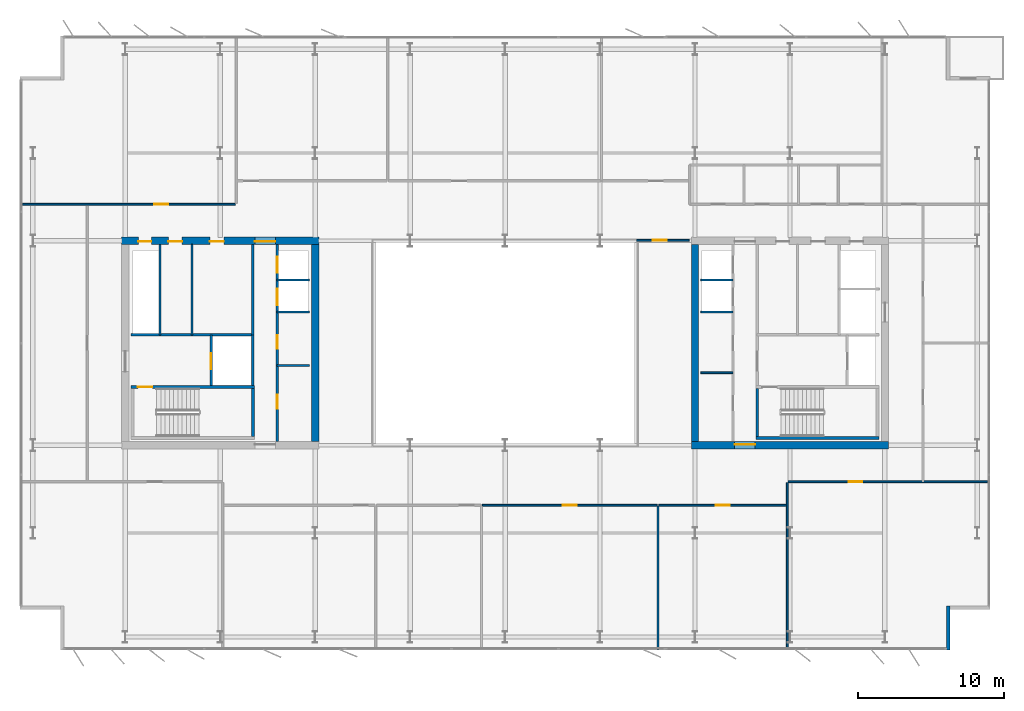
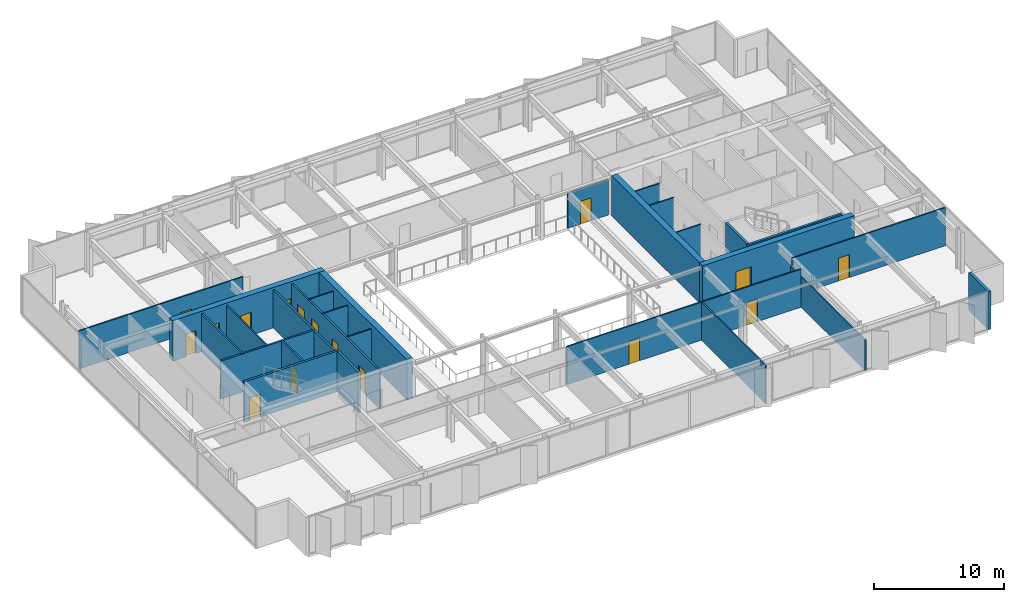
# One storey, part 17 of 23: 29 walls, 16 doors, 16 openings.
"""IFC4 building model written with IfcOpenShell, lengths in metres."""

from ifc_helpers import new_model, si_unit, direction, frame, frame_2d, origin, place, context, subcontext, project, spatial, rectangle, extrude, material, layer, layer_set, type_object, element, fill, save


model = new_model("IFC4")

# Units and contexts
model_context = context("Model", 3, precision=1e-05, world=origin(), true_north=direction((0.0, 1.0)))
body_context = subcontext(model_context, "Body", "Model", "MODEL_VIEW")
ifc_project = project(units=[si_unit("LENGTHUNIT", "METRE"), si_unit("AREAUNIT", "SQUARE_METRE"), si_unit("VOLUMEUNIT", "CUBIC_METRE"), si_unit("PLANEANGLEUNIT", "RADIAN"), si_unit("MASSUNIT", "GRAM", prefix="KILO")], contexts=[model_context])

# Site, building, storey
site_placement = place(None, origin())
site = spatial("IfcSite", under=ifc_project, at=site_placement, CompositionType="ELEMENT")
building_placement = place(site_placement, origin())
building = spatial("IfcBuilding", under=site, at=building_placement, Name="Putna Gate Headquarters", CompositionType="ELEMENT")
storey_placement = place(building_placement, frame((0.0, 0.0, 206.199951171875)))
storey = spatial("IfcBuildingStorey", under=building, at=storey_placement, Name="L51", CompositionType="ELEMENT", Elevation=206.199951171875)

# Wall, openings, doors
ifc_material_1 = material(Name="Concrete C50/60", Category="concrete")
ifc_layer_1 = layer(ifc_material_1, 0.5)
ifc_layer_set_1 = layer_set([ifc_layer_1], Name="Concrete C50/60")
wall_type_1 = type_object("IfcWallType", Name="WALL-CORE-500", PredefinedType="SHEAR", material=ifc_layer_set_1)
wall_1_placement = place(storey_placement, frame((12.75, 33.0, 0.0), z_axis=(0.0, 0.0, 1.0), x_axis=(1.0, 0.0, 0.0)))
wall_1 = element("IfcWall", 1, at=wall_1_placement, inside=storey, type_object=wall_type_1, Name="L51 WC Split Core Shear Wall N", PredefinedType="SHEAR", context=body_context, shape_type="SweptSolid", body=[
    extrude(rectangle(XDim=13.5, YDim=0.5, at=frame_2d((6.75, 0.0))), origin(), (0.0, 0.0, 1.0), 3.800048828125),
])
opening_1_placement = place(wall_1_placement, frame((1.14990234375, 0.0, 0.0)))
opening_1 = element("IfcOpeningElement", 2, at=opening_1_placement, cuts=wall_1, Name="Opening RD-90", PredefinedType="OPENING", context=body_context, shape_type="SweptSolid", body=[
    extrude(rectangle(XDim=0.89990234375, YDim=2.14990234375, at=frame_2d((0.449951171875, 1.074951171875))), frame((0.0, 0.260009765625, 0.0), z_axis=(0.0, -1.0, 0.0), x_axis=(1.0, 0.0, 0.0)), (0.0, 0.0, 1.0), 0.52001953125),
])
opening_2_placement = place(wall_1_placement, frame((3.199951171875, 0.0, 0.0)))
opening_2 = element("IfcOpeningElement", 3, at=opening_2_placement, cuts=wall_1, Name="Opening IDS-95", PredefinedType="OPENING", context=body_context, shape_type="SweptSolid", body=[
    extrude(rectangle(XDim=0.949951171875, YDim=2.14990234375, at=frame_2d((0.47509765625, 1.074951171875))), frame((0.0, 0.260009765625, 0.0), z_axis=(0.0, -1.0, 0.0), x_axis=(1.0, 0.0, 0.0)), (0.0, 0.0, 1.0), 0.52001953125),
])
opening_3_placement = place(wall_1_placement, frame((6.050048828125, 0.0, 0.0)))
opening_3 = element("IfcOpeningElement", 4, at=opening_3_placement, cuts=wall_1, Name="Opening IDS-95", PredefinedType="OPENING", context=body_context, shape_type="SweptSolid", body=[
    extrude(rectangle(XDim=0.949951171875, YDim=2.14990234375, at=frame_2d((0.47509765625, 1.074951171875))), frame((0.0, 0.260009765625, 0.0), z_axis=(0.0, -1.0, 0.0), x_axis=(1.0, 0.0, 0.0)), (0.0, 0.0, 1.0), 0.52001953125),
])
opening_4_placement = place(wall_1_placement, frame((9.1298828125, 0.0, 0.0)))
opening_4 = element("IfcOpeningElement", 5, at=opening_4_placement, cuts=wall_1, Name="Opening FDD-140", PredefinedType="OPENING", context=body_context, shape_type="SweptSolid", body=[
    extrude(rectangle(XDim=1.39990234375, YDim=2.199951171875, at=frame_2d((0.699951171875, 1.10009765625))), frame((0.0, 0.260009765625, 0.0), z_axis=(0.0, -1.0, 0.0), x_axis=(1.0, 0.0, 0.0)), (0.0, 0.0, 1.0), 0.52001953125),
])
ifc_material_2 = material(Name="Double steel fire door", Category="steel")
door_type_1 = type_object("IfcDoorType", Name="DOOR-FIRE-DBL-1400", OperationType="DOUBLE_DOOR_SINGLE_SWING", PredefinedType="DOOR", material=ifc_material_2)
door_1_placement = place(opening_4_placement, origin())
door_1 = element("IfcDoor", 6, at=door_1_placement, inside=storey, type_object=door_type_1, Name="L51 West Lift Lobby North Door", OperationType="DOUBLE_DOOR_SINGLE_SWING", OverallHeight=2.199951171875, OverallWidth=1.39990234375, PredefinedType="DOOR", context=body_context, shape_type="SweptSolid", body=[
    extrude(rectangle(XDim=1.39990234375, YDim=2.199951171875, at=frame_2d((0.699951171875, 1.10009765625))), frame((0.0, -0.02490234375, 0.0), z_axis=(0.0, -1.0, 0.0), x_axis=(1.0, 0.0, 0.0)), (0.0, 0.0, 1.0), 0.050048828125),
])
fill(opening_4, door_1)
ifc_material_3 = material(Name="Fire-rated service timber door", Category="wood")
door_type_2 = type_object("IfcDoorType", Name="DOOR-INT-950", OperationType="NOTDEFINED", PredefinedType="DOOR", material=ifc_material_3)
door_2_placement = place(opening_2_placement, origin())
door_2 = element("IfcDoor", 7, at=door_2_placement, inside=storey, type_object=door_type_2, Name="L51 Archive Store Door", OperationType="SINGLE_SWING_LEFT", OverallHeight=2.14990234375, OverallWidth=0.949951171875, PredefinedType="DOOR", context=body_context, shape_type="SweptSolid", body=[
    extrude(rectangle(XDim=0.949951171875, YDim=2.14990234375, at=frame_2d((0.47509765625, 1.074951171875))), frame((0.0, -0.02490234375, 0.0), z_axis=(0.0, -1.0, 0.0), x_axis=(1.0, 0.0, 0.0)), (0.0, 0.0, 1.0), 0.050048828125),
])
fill(opening_2, door_2)
door_3_placement = place(opening_3_placement, origin())
door_3 = element("IfcDoor", 8, at=door_3_placement, inside=storey, type_object=door_type_2, Name="L51 Switchgear Plant Door", OperationType="SINGLE_SWING_RIGHT", OverallHeight=2.14990234375, OverallWidth=0.949951171875, PredefinedType="DOOR", context=body_context, shape_type="SweptSolid", body=[
    extrude(rectangle(XDim=0.949951171875, YDim=2.14990234375, at=frame_2d((0.47509765625, 1.074951171875))), frame((0.0, -0.02490234375, 0.0), z_axis=(0.0, -1.0, 0.0), x_axis=(1.0, 0.0, 0.0)), (0.0, 0.0, 1.0), 0.050048828125),
])
fill(opening_3, door_3)
ifc_material_4 = material(Name="Steel riser access fire door", Category="steel")
door_type_3 = type_object("IfcDoorType", Name="DOOR-RISER-900", OperationType="NOTDEFINED", PredefinedType="DOOR", material=ifc_material_4)
door_4_placement = place(opening_1_placement, origin())
door_4 = element("IfcDoor", 9, at=door_4_placement, inside=storey, type_object=door_type_3, Name="L51 West Riser Access Door", OperationType="SINGLE_SWING_RIGHT", OverallHeight=2.14990234375, OverallWidth=0.89990234375, PredefinedType="DOOR", context=body_context, shape_type="SweptSolid", body=[
    extrude(rectangle(XDim=0.89990234375, YDim=2.14990234375, at=frame_2d((0.449951171875, 1.074951171875))), frame((0.0, -0.02490234375, 0.0), z_axis=(0.0, -1.0, 0.0), x_axis=(1.0, 0.0, 0.0)), (0.0, 0.0, 1.0), 0.050048828125),
])
fill(opening_1, door_4)

# Wall
wall_2_placement = place(storey_placement, frame((26.0, 19.25, 0.0), z_axis=(0.0, 0.0, 1.0), x_axis=(0.0, 1.0, 0.0)))
element("IfcWall", 10, at=wall_2_placement, inside=storey, type_object=wall_type_1, Name="L51 WC Split Core Shear Wall E", PredefinedType="SHEAR", context=body_context, shape_type="SweptSolid", body=[
    extrude(rectangle(XDim=13.5, YDim=0.5, at=frame_2d((6.75, 0.0))), origin(), (0.0, 0.0, 1.0), 3.800048828125),
])

# Wall, opening, door
wall_3_placement = place(storey_placement, frame((51.75, 19.0, 0.0), z_axis=(0.0, 0.0, 1.0), x_axis=(1.0, 0.0, 0.0)))
wall_3 = element("IfcWall", 11, at=wall_3_placement, inside=storey, type_object=wall_type_1, Name="L51 EC Split Core Shear Wall S", PredefinedType="SHEAR", context=body_context, shape_type="SweptSolid", body=[
    extrude(rectangle(XDim=13.5, YDim=0.5, at=frame_2d((6.75, 0.0))), origin(), (0.0, 0.0, 1.0), 3.800048828125),
])
opening_5_placement = place(wall_3_placement, frame((2.969970703125, 0.0, 0.0)))
opening_5 = element("IfcOpeningElement", 12, at=opening_5_placement, cuts=wall_3, Name="Opening FDD-140", PredefinedType="OPENING", context=body_context, shape_type="SweptSolid", body=[
    extrude(rectangle(XDim=1.39990234375, YDim=2.199951171875, at=frame_2d((0.699951171875, 1.10009765625))), frame((0.0, 0.260009765625, 0.0), z_axis=(0.0, -1.0, 0.0), x_axis=(1.0, 0.0, 0.0)), (0.0, 0.0, 1.0), 0.52001953125),
])
door_5_placement = place(opening_5_placement, origin())
door_5 = element("IfcDoor", 13, at=door_5_placement, inside=storey, type_object=door_type_1, Name="L51 East Lift Lobby South Door", OperationType="DOUBLE_DOOR_SINGLE_SWING", OverallHeight=2.199951171875, OverallWidth=1.39990234375, PredefinedType="DOOR", context=body_context, shape_type="SweptSolid", body=[
    extrude(rectangle(XDim=1.39990234375, YDim=2.199951171875, at=frame_2d((0.699951171875, 1.10009765625))), frame((0.0, 0.0751953125, 0.0), z_axis=(0.0, -1.0, 0.0), x_axis=(1.0, 0.0, 0.0)), (0.0, 0.0, 1.0), 0.050048828125),
])
fill(opening_5, door_5)

# Walls
wall_4_placement = place(storey_placement, frame((52.0, 19.25, 0.0), z_axis=(0.0, 0.0, 1.0), x_axis=(0.0, 1.0, 0.0)))
element("IfcWall", 14, at=wall_4_placement, inside=storey, type_object=wall_type_1, Name="L51 EC Split Core Shear Wall W", PredefinedType="SHEAR", context=body_context, shape_type="SweptSolid", body=[
    extrude(rectangle(XDim=13.5, YDim=0.5, at=frame_2d((6.75, 0.0))), origin(), (0.0, 0.0, 1.0), 3.800048828125),
])
ifc_material_5 = material(Name="Precast concrete C40/50", Category="concrete")
ifc_layer_2 = layer(ifc_material_5, 0.239990234375)
ifc_layer_set_2 = layer_set([ifc_layer_2], Name="Precast concrete C40/50")
wall_type_2 = type_object("IfcWallType", Name="WALL-EXT-TERR-240", PredefinedType="STANDARD", material=ifc_layer_set_2)
wall_5_placement = place(storey_placement, frame((69.320068359375, 8.0, 0.0), z_axis=(0.0, 0.0, 1.0), x_axis=(0.0, -1.0, 0.0)))
element("IfcWall", 15, at=wall_5_placement, inside=storey, type_object=wall_type_2, Name="L51 Corner Notch Return Wall SE-V", PredefinedType="STANDARD", context=body_context, shape_type="SweptSolid", body=[
    extrude(rectangle(XDim=3.0, YDim=0.239990234375, at=frame_2d((1.5, 0.0))), origin(), (0.0, 0.0, 1.0), 3.580078125),
])

# Wall, opening, door
ifc_material_6 = material(Name="Acoustic gypsum board on metal stud")
ifc_layer_3 = layer(ifc_material_6, 0.1201171875)
ifc_layer_set_3 = layer_set([ifc_layer_3], Name="Acoustic gypsum board on metal stud")
wall_type_3 = type_object("IfcWallType", Name="WALL-PART-120", PredefinedType="PARTITIONING", material=ifc_layer_set_3)
wall_6_placement = place(storey_placement, frame((48.0, 33.0400390625, 0.0), z_axis=(0.0, 0.0, 1.0), x_axis=(1.0, 0.0, 0.0)))
wall_6 = element("IfcWall", 16, at=wall_6_placement, inside=storey, type_object=wall_type_3, Name="L51 Interior Wall PART-L51-ATR-E-N", PredefinedType="PARTITIONING", context=body_context, shape_type="SweptSolid", body=[
    extrude(rectangle(XDim=3.60009765625, YDim=0.1201171875, at=frame_2d((1.800048828125, 0.0))), origin(), (0.0, 0.0, 1.0), 3.320068359375),
])
opening_6_placement = place(wall_6_placement, frame((1.10009765625, 0.0, 0.0)))
opening_6 = element("IfcOpeningElement", 17, at=opening_6_placement, cuts=wall_6, Name="Opening ID-95", PredefinedType="OPENING", context=body_context, shape_type="SweptSolid", body=[
    extrude(rectangle(XDim=0.949951171875, YDim=2.14990234375, at=frame_2d((0.47509765625, 1.074951171875))), frame((0.0, 0.070068359375, 0.0), z_axis=(0.0, -1.0, 0.0), x_axis=(1.0, 0.0, 0.0)), (0.0, 0.0, 1.0), 0.14013671875),
])
ifc_material_7 = material(Name="Veneered acoustic timber door", Category="wood")
door_type_4 = type_object("IfcDoorType", Name="DOOR-OFF-950", OperationType="NOTDEFINED", PredefinedType="DOOR", material=ifc_material_7)
door_6_placement = place(opening_6_placement, origin())
door_6 = element("IfcDoor", 18, at=door_6_placement, inside=storey, type_object=door_type_4, Name="L51 East Sky Atrium Lounge Door", OperationType="SINGLE_SWING_LEFT", OverallHeight=2.14990234375, OverallWidth=0.949951171875, PredefinedType="DOOR", context=body_context, shape_type="SweptSolid", body=[
    extrude(rectangle(XDim=0.949951171875, YDim=2.14990234375, at=frame_2d((0.47509765625, 1.074951171875))), frame((0.0, 0.02490234375, 0.0), z_axis=(0.0, -1.0, 0.0), x_axis=(1.0, 0.0, 0.0)), (0.0, 0.0, 1.0), 0.050048828125),
])
fill(opening_6, door_6)

# Walls
wall_7_placement = place(storey_placement, frame((49.46728515625, 5.02001953125, 0.0), z_axis=(0.0, 0.0, 1.0), x_axis=(0.0, 1.0, 0.0)))
element("IfcWall", 19, at=wall_7_placement, inside=storey, type_object=wall_type_3, Name="L51 Interior Wall PART-L51-SB-DIV-04", PredefinedType="PARTITIONING", context=body_context, shape_type="SweptSolid", body=[
    extrude(rectangle(XDim=9.820068359375, YDim=0.1201171875, at=frame_2d((4.91015625, 0.0))), origin(), (0.0, 0.0, 1.0), 3.580078125),
])
wall_8_placement = place(storey_placement, frame((58.316650390625, 5.02001953125, 0.0), z_axis=(0.0, 0.0, 1.0), x_axis=(0.0, 1.0, 0.0)))
element("IfcWall", 20, at=wall_8_placement, inside=storey, type_object=wall_type_3, Name="L51 Interior Wall PART-L51-SB-DIV-05", PredefinedType="PARTITIONING", context=body_context, shape_type="SweptSolid", body=[
    extrude(rectangle(XDim=11.419921875, YDim=0.1201171875, at=frame_2d((5.7099609375, 0.0))), origin(), (0.0, 0.0, 1.0), 2.880126953125),
])
ifc_material_8 = material(Name="Fire-rated shaftwall gypsum board on metal stud")
ifc_layer_4 = layer(ifc_material_8, 0.1201171875)
ifc_layer_set_4 = layer_set([ifc_layer_4], Name="Fire-rated shaftwall gypsum board on metal stud")
wall_type_4 = type_object("IfcWallType", Name="WALL-PART-120-EI120", PredefinedType="PARTITIONING", material=ifc_layer_set_4)
for number, where, z_axis, x_axis, name in (
    (21, (23.39990234375, 30.31005859375, 0.0), (0.0, 0.0, 1.0), (1.0, 0.0, 0.0), "L51 Interior Wall CWINT-L51-WC-LF09-DIV"),
    (22, (52.39990234375, 30.31005859375, 0.0), (0.0, 0.0, 1.0), (1.0, 0.0, 0.0), "L51 Interior Wall CWINT-L51-EC-LF11-DIV"),
):
    element("IfcWall", number, at=place(storey_placement, frame(where, z_axis=z_axis, x_axis=x_axis)), inside=storey, type_object=wall_type_4, Name=name, PredefinedType="PARTITIONING", context=body_context, shape_type="SweptSolid", body=[
        extrude(rectangle(XDim=2.2001953125, YDim=0.1201171875, at=frame_2d((1.10009765625, 0.0))), origin(), (0.0, 0.0, 1.0), 3.580078125),
    ])
ifc_material_9 = material(Name="Fire-rated gypsum board on metal stud")
ifc_layer_5 = layer(ifc_material_9, 0.1201171875)
ifc_layer_set_5 = layer_set([ifc_layer_5], Name="Fire-rated gypsum board on metal stud")
wall_type_5 = type_object("IfcWallType", Name="WALL-PART-120-RATED", PredefinedType="PARTITIONING", material=ifc_layer_set_5)
wall_9_placement = place(storey_placement, frame((17.570068359375, 26.56005859375, 0.0), z_axis=(0.0, 0.0, 1.0), x_axis=(0.0, 1.0, 0.0)))
element("IfcWall", 23, at=wall_9_placement, inside=storey, type_object=wall_type_5, Name="L51 Interior Wall CWINT-L51-WC-K1-DIV", PredefinedType="PARTITIONING", context=body_context, shape_type="SweptSolid", body=[
    extrude(rectangle(XDim=6.18994140625, YDim=0.1201171875, at=frame_2d((3.094970703125, 0.0))), origin(), (0.0, 0.0, 1.0), 3.580078125),
])
for number, where, z_axis, x_axis, name in (
    (24, (23.39990234375, 24.469970703125, 0.0), (0.0, 0.0, 1.0), (1.0, 0.0, 0.0), "L51 Interior Wall CWINT-L51-WC-REUSE-DIV"),
    (25, (23.39990234375, 28.1201171875, 0.0), (0.0, 0.0, 1.0), (1.0, 0.0, 0.0), "L51 Interior Wall CWINT-L51-WC-LF06-DIV"),
    (26, (52.39990234375, 23.969970703125, 0.0), (0.0, 0.0, 1.0), (1.0, 0.0, 0.0), "L51 Interior Wall CWINT-L51-EC-REUSE-DIV"),
    (27, (52.39990234375, 28.1201171875, 0.0), (0.0, 0.0, 1.0), (1.0, 0.0, 0.0), "L51 Interior Wall CWINT-L51-EC-LF08-DIV"),
):
    element("IfcWall", number, at=place(storey_placement, frame(where, z_axis=z_axis, x_axis=x_axis)), inside=storey, type_object=wall_type_5, Name=name, PredefinedType="PARTITIONING", context=body_context, shape_type="SweptSolid", body=[
        extrude(rectangle(XDim=2.2001953125, YDim=0.1201171875, at=frame_2d((1.10009765625, 0.0))), origin(), (0.0, 0.0, 1.0), 3.580078125),
    ])

# Wall, opening, door
wall_10_placement = place(storey_placement, frame((5.97998046875, 35.5, 0.0), z_axis=(0.0, 0.0, 1.0), x_axis=(1.0, 0.0, 0.0)))
wall_10 = element("IfcWall", 28, at=wall_10_placement, inside=storey, type_object=wall_type_5, Name="L51 Interior Wall PART-L51-NB-CW-01", PredefinedType="PARTITIONING", context=body_context, shape_type="SweptSolid", body=[
    extrude(rectangle(XDim=14.56884765625, YDim=0.1201171875, at=frame_2d((7.284423828125, 0.0))), origin(), (0.0, 0.0, 1.0), 3.580078125),
])
opening_7_placement = place(wall_10_placement, frame((9.01953125, 0.0, 0.0)))
opening_7 = element("IfcOpeningElement", 29, at=opening_7_placement, cuts=wall_10, Name="Opening FD-95", PredefinedType="OPENING", context=body_context, shape_type="SweptSolid", body=[
    extrude(rectangle(XDim=0.949951171875, YDim=2.14990234375, at=frame_2d((0.47509765625, 1.074951171875))), frame((0.0, 0.070068359375, 0.0), z_axis=(0.0, -1.0, 0.0), x_axis=(1.0, 0.0, 0.0)), (0.0, 0.0, 1.0), 0.14013671875),
])
ifc_material_10 = material(Name="Acoustic timber fire door", Category="wood")
door_type_5 = type_object("IfcDoorType", Name="DOOR-FIRE-950", OperationType="NOTDEFINED", PredefinedType="DOOR", material=ifc_material_10)
door_7_placement = place(opening_7_placement, origin())
door_7 = element("IfcDoor", 30, at=door_7_placement, inside=storey, type_object=door_type_5, Name="L51 Conference Meeting Room 1 Door", OperationType="SINGLE_SWING_RIGHT", OverallHeight=2.14990234375, OverallWidth=0.949951171875, PredefinedType="DOOR", context=body_context, shape_type="SweptSolid", body=[
    extrude(rectangle(XDim=0.949951171875, YDim=2.14990234375, at=frame_2d((0.47509765625, 1.074951171875))), frame((0.0, 0.02490234375, 0.0), z_axis=(0.0, -1.0, 0.0), x_axis=(1.0, 0.0, 0.0)), (0.0, 0.0, 1.0), 0.050048828125),
])
fill(opening_7, door_7)

wall_11_placement = place(storey_placement, frame((37.44189453125, 14.89990234375, 0.0), z_axis=(0.0, 0.0, 1.0), x_axis=(1.0, 0.0, 0.0)))
wall_11 = element("IfcWall", 31, at=wall_11_placement, inside=storey, type_object=wall_type_5, Name="L51 Interior Wall PART-L51-SB-CW-04", PredefinedType="PARTITIONING", context=body_context, shape_type="SweptSolid", body=[
    extrude(rectangle(XDim=11.96533203125, YDim=0.1201171875, at=frame_2d((5.982666015625, 0.0))), origin(), (0.0, 0.0, 1.0), 3.580078125),
])
opening_8_placement = place(wall_11_placement, frame((5.507568359375, 0.0, 0.0)))
opening_8 = element("IfcOpeningElement", 32, at=opening_8_placement, cuts=wall_11, Name="Opening FD-95", PredefinedType="OPENING", context=body_context, shape_type="SweptSolid", body=[
    extrude(rectangle(XDim=0.949951171875, YDim=2.14990234375, at=frame_2d((0.47509765625, 1.074951171875))), frame((0.0, 0.070068359375, 0.0), z_axis=(0.0, -1.0, 0.0), x_axis=(1.0, 0.0, 0.0)), (0.0, 0.0, 1.0), 0.14013671875),
])
door_8_placement = place(opening_8_placement, origin())
door_8 = element("IfcDoor", 33, at=door_8_placement, inside=storey, type_object=door_type_5, Name="L51 Cellular Office 4 Door", OperationType="SINGLE_SWING_RIGHT", OverallHeight=2.14990234375, OverallWidth=0.949951171875, PredefinedType="DOOR", context=body_context, shape_type="SweptSolid", body=[
    extrude(rectangle(XDim=0.949951171875, YDim=2.14990234375, at=frame_2d((0.47509765625, 1.074951171875))), frame((0.0, 0.02490234375, 0.0), z_axis=(0.0, -1.0, 0.0), x_axis=(1.0, 0.0, 0.0)), (0.0, 0.0, 1.0), 0.050048828125),
])
fill(opening_8, door_8)

wall_12_placement = place(storey_placement, frame((49.52734375, 14.89990234375, 0.0), z_axis=(0.0, 0.0, 1.0), x_axis=(1.0, 0.0, 0.0)))
wall_12 = element("IfcWall", 34, at=wall_12_placement, inside=storey, type_object=wall_type_5, Name="L51 Interior Wall PART-L51-SB-CW-05", PredefinedType="PARTITIONING", context=body_context, shape_type="SweptSolid", body=[
    extrude(rectangle(XDim=8.729248046875, YDim=0.1201171875, at=frame_2d((4.36474609375, 0.0))), origin(), (0.0, 0.0, 1.0), 3.580078125),
])
opening_9_placement = place(wall_12_placement, frame((3.8896484375, 0.0, 0.0)))
opening_9 = element("IfcOpeningElement", 35, at=opening_9_placement, cuts=wall_12, Name="Opening FD-95", PredefinedType="OPENING", context=body_context, shape_type="SweptSolid", body=[
    extrude(rectangle(XDim=0.949951171875, YDim=2.14990234375, at=frame_2d((0.47509765625, 1.074951171875))), frame((0.0, 0.070068359375, 0.0), z_axis=(0.0, -1.0, 0.0), x_axis=(1.0, 0.0, 0.0)), (0.0, 0.0, 1.0), 0.14013671875),
])
door_9_placement = place(opening_9_placement, origin())
door_9 = element("IfcDoor", 36, at=door_9_placement, inside=storey, type_object=door_type_5, Name="L51 Cellular Office 5 Door", OperationType="SINGLE_SWING_LEFT", OverallHeight=2.14990234375, OverallWidth=0.949951171875, PredefinedType="DOOR", context=body_context, shape_type="SweptSolid", body=[
    extrude(rectangle(XDim=0.949951171875, YDim=2.14990234375, at=frame_2d((0.47509765625, 1.074951171875))), frame((0.0, 0.02490234375, 0.0), z_axis=(0.0, -1.0, 0.0), x_axis=(1.0, 0.0, 0.0)), (0.0, 0.0, 1.0), 0.050048828125),
])
fill(opening_9, door_9)

wall_13_placement = place(storey_placement, frame((58.376708984375, 16.5, 0.0), z_axis=(0.0, 0.0, 1.0), x_axis=(1.0, 0.0, 0.0)))
wall_13 = element("IfcWall", 37, at=wall_13_placement, inside=storey, type_object=wall_type_5, Name="L51 Interior Wall PART-L51-SB-CW-06", PredefinedType="PARTITIONING", context=body_context, shape_type="SweptSolid", body=[
    extrude(rectangle(XDim=13.643310546875, YDim=0.1201171875, at=frame_2d((6.82177734375, 0.0))), origin(), (0.0, 0.0, 1.0), 3.580078125),
])
opening_10_placement = place(wall_13_placement, frame((4.13671875, 0.0, 0.0)))
opening_10 = element("IfcOpeningElement", 38, at=opening_10_placement, cuts=wall_13, Name="Opening FD-95", PredefinedType="OPENING", context=body_context, shape_type="SweptSolid", body=[
    extrude(rectangle(XDim=0.949951171875, YDim=2.14990234375, at=frame_2d((0.47509765625, 1.074951171875))), frame((0.0, 0.070068359375, 0.0), z_axis=(0.0, -1.0, 0.0), x_axis=(1.0, 0.0, 0.0)), (0.0, 0.0, 1.0), 0.14013671875),
])
door_10_placement = place(opening_10_placement, origin())
door_10 = element("IfcDoor", 39, at=door_10_placement, inside=storey, type_object=door_type_5, Name="L51 Quiet Wellness Focus Studio 1 Door", OperationType="SINGLE_SWING_RIGHT", OverallHeight=2.14990234375, OverallWidth=0.949951171875, PredefinedType="DOOR", context=body_context, shape_type="SweptSolid", body=[
    extrude(rectangle(XDim=0.949951171875, YDim=2.14990234375, at=frame_2d((0.47509765625, 1.074951171875))), frame((0.0, 0.02490234375, 0.0), z_axis=(0.0, -1.0, 0.0), x_axis=(1.0, 0.0, 0.0)), (0.0, 0.0, 1.0), 0.050048828125),
])
fill(opening_10, door_10)

# Wall
ifc_material_11 = material(Name="Concrete C40/50", Category="concrete")
ifc_layer_6 = layer(ifc_material_11, 0.159912109375)
ifc_layer_set_6 = layer_set([ifc_layer_6], Name="Concrete C40/50")
wall_type_6 = type_object("IfcWallType", Name="WALL-SHAFT-160", PredefinedType="STANDARD", material=ifc_layer_set_6)
wall_14_placement = place(storey_placement, frame((21.739990234375, 23.090087890625, 0.0), z_axis=(0.0, 0.0, 1.0), x_axis=(0.0, 1.0, 0.0)))
element("IfcWall", 40, at=wall_14_placement, inside=storey, type_object=wall_type_6, Name="L51 Interior Wall CWINT-L51-WC-FFL-E", PredefinedType="STANDARD", context=body_context, shape_type="SweptSolid", body=[
    extrude(rectangle(XDim=3.469970703125, YDim=0.159912109375, at=frame_2d((1.73486328125, 0.0))), origin(), (0.0, 0.0, 1.0), 3.580078125),
])

# Wall, opening, door
wall_15_placement = place(storey_placement, frame((18.8798828125, 23.090087890625, 0.0), z_axis=(0.0, 0.0, 1.0), x_axis=(0.0, 1.0, 0.0)))
wall_15 = element("IfcWall", 41, at=wall_15_placement, inside=storey, type_object=wall_type_6, Name="L51 Interior Wall CWINT-L51-WC-LF13-W", PredefinedType="STANDARD", context=body_context, shape_type="SweptSolid", body=[
    extrude(rectangle(XDim=3.469970703125, YDim=0.159912109375, at=frame_2d((1.73486328125, 0.0))), origin(), (0.0, 0.0, 1.0), 3.580078125),
])
opening_11_placement = place(wall_15_placement, frame((1.10009765625, 0.0, 0.0)))
opening_11 = element("IfcOpeningElement", 42, at=opening_11_placement, cuts=wall_15, Name="Opening LD-1", PredefinedType="OPENING", context=body_context, shape_type="SweptSolid", body=[
    extrude(rectangle(XDim=1.10009765625, YDim=2.199951171875, at=frame_2d((0.550048828125, 1.10009765625))), frame((0.0, 0.08984375, 0.0), z_axis=(0.0, -1.0, 0.0), x_axis=(1.0, 0.0, 0.0)), (0.0, 0.0, 1.0), 0.179931640625),
])
ifc_material_12 = material(Name="Brushed bronze stainless lift landing door")
door_type_6 = type_object("IfcDoorType", Name="DOOR-LIFT-1100", OperationType="DOUBLE_DOOR_SLIDING", PredefinedType="DOOR", material=ifc_material_12)
door_11_placement = place(opening_11_placement, origin())
door_11 = element("IfcDoor", 43, at=door_11_placement, inside=storey, type_object=door_type_6, Name="L51 Lift Landing Door LD-13", OperationType="DOUBLE_DOOR_SLIDING", OverallHeight=2.199951171875, OverallWidth=1.10009765625, PredefinedType="DOOR", context=body_context, shape_type="SweptSolid", body=[
    extrude(rectangle(XDim=1.10009765625, YDim=2.199951171875, at=frame_2d((0.550048828125, 1.10009765625))), frame((0.0, 0.02490234375, 0.0), z_axis=(0.0, -1.0, 0.0), x_axis=(1.0, 0.0, 0.0)), (0.0, 0.0, 1.0), 0.050048828125),
])
fill(opening_11, door_11)

# Walls
wall_16_placement = place(storey_placement, frame((13.39990234375, 26.56005859375, 0.0), z_axis=(0.0, 0.0, 1.0), x_axis=(1.0, 0.0, 0.0)))
element("IfcWall", 44, at=wall_16_placement, inside=storey, type_object=wall_type_6, Name="L51 Interior Wall CWINT-L51-WC-FFL-N", PredefinedType="STANDARD", context=body_context, shape_type="SweptSolid", body=[
    extrude(rectangle(XDim=8.340087890625, YDim=0.159912109375, at=frame_2d((4.169921875, 0.0))), origin(), (0.0, 0.0, 1.0), 3.580078125),
])
for number, where, z_axis, x_axis, name in (
    (45, (15.3798828125, 26.56005859375, 0.0), (0.0, 0.0, 1.0), (0.0, 1.0, 0.0), "L51 Interior Wall CWINT-L51-WC-RISER-E"),
    (46, (21.739990234375, 26.56005859375, 0.0), (0.0, 0.0, 1.0), (0.0, 1.0, 0.0), "L51 Interior Wall CWINT-L51-WC-LOB-W"),
):
    element("IfcWall", number, at=place(storey_placement, frame(where, z_axis=z_axis, x_axis=x_axis)), inside=storey, type_object=wall_type_6, Name=name, PredefinedType="STANDARD", context=body_context, shape_type="SweptSolid", body=[
        extrude(rectangle(XDim=6.18994140625, YDim=0.159912109375, at=frame_2d((3.094970703125, 0.0))), origin(), (0.0, 0.0, 1.0), 3.580078125),
    ])

# Wall, openings, doors
wall_17_placement = place(storey_placement, frame((23.39990234375, 19.25, 0.0), z_axis=(0.0, 0.0, 1.0), x_axis=(0.0, 1.0, 0.0)))
wall_17 = element("IfcWall", 47, at=wall_17_placement, inside=storey, type_object=wall_type_6, Name="L51 Interior Wall CWINT-L51-WC-PL-WALL", PredefinedType="STANDARD", context=body_context, shape_type="SweptSolid", body=[
    extrude(rectangle(XDim=13.5, YDim=0.159912109375, at=frame_2d((6.75, 0.0))), origin(), (0.0, 0.0, 1.0), 3.580078125),
])
opening_12_placement = place(wall_17_placement, frame((2.25, 0.0, 0.0)))
opening_12 = element("IfcOpeningElement", 48, at=opening_12_placement, cuts=wall_17, Name="Opening IDS-95", PredefinedType="OPENING", context=body_context, shape_type="SweptSolid", body=[
    extrude(rectangle(XDim=0.949951171875, YDim=2.14990234375, at=frame_2d((0.47509765625, 1.074951171875))), frame((0.0, 0.08984375, 0.0), z_axis=(0.0, -1.0, 0.0), x_axis=(1.0, 0.0, 0.0)), (0.0, 0.0, 1.0), 0.179931640625),
])
opening_13_placement = place(wall_17_placement, frame((6.35009765625, 0.0, 0.0)))
opening_13 = element("IfcOpeningElement", 49, at=opening_13_placement, cuts=wall_17, Name="Opening IDS-95", PredefinedType="OPENING", context=body_context, shape_type="SweptSolid", body=[
    extrude(rectangle(XDim=0.949951171875, YDim=2.14990234375, at=frame_2d((0.47509765625, 1.074951171875))), frame((0.0, 0.08984375, 0.0), z_axis=(0.0, -1.0, 0.0), x_axis=(1.0, 0.0, 0.0)), (0.0, 0.0, 1.0), 0.179931640625),
])
opening_14_placement = place(wall_17_placement, frame((9.35009765625, 0.0, 0.0)))
opening_14 = element("IfcOpeningElement", 50, at=opening_14_placement, cuts=wall_17, Name="Opening LD-1", PredefinedType="OPENING", context=body_context, shape_type="SweptSolid", body=[
    extrude(rectangle(XDim=1.10009765625, YDim=2.199951171875, at=frame_2d((0.550048828125, 1.10009765625))), frame((0.0, 0.08984375, 0.0), z_axis=(0.0, -1.0, 0.0), x_axis=(1.0, 0.0, 0.0)), (0.0, 0.0, 1.0), 0.179931640625),
])
opening_15_placement = place(wall_17_placement, frame((11.550048828125, 0.0, 0.0)))
opening_15 = element("IfcOpeningElement", 51, at=opening_15_placement, cuts=wall_17, Name="Opening LD-1", PredefinedType="OPENING", context=body_context, shape_type="SweptSolid", body=[
    extrude(rectangle(XDim=1.10009765625, YDim=2.199951171875, at=frame_2d((0.550048828125, 1.10009765625))), frame((0.0, 0.08984375, 0.0), z_axis=(0.0, -1.0, 0.0), x_axis=(1.0, 0.0, 0.0)), (0.0, 0.0, 1.0), 0.179931640625),
])
door_12_placement = place(opening_12_placement, origin())
door_12 = element("IfcDoor", 52, at=door_12_placement, inside=storey, type_object=door_type_2, Name="L51 Tenant IT Hub Door", OperationType="SINGLE_SWING_LEFT", OverallHeight=2.14990234375, OverallWidth=0.949951171875, PredefinedType="DOOR", context=body_context, shape_type="SweptSolid", body=[
    extrude(rectangle(XDim=0.949951171875, YDim=2.14990234375, at=frame_2d((0.47509765625, 1.074951171875))), frame((0.0, 0.02490234375, 0.0), z_axis=(0.0, -1.0, 0.0), x_axis=(1.0, 0.0, 0.0)), (0.0, 0.0, 1.0), 0.050048828125),
])
fill(opening_12, door_12)
door_13_placement = place(opening_13_placement, origin())
door_13 = element("IfcDoor", 53, at=door_13_placement, inside=storey, type_object=door_type_2, Name="L51 Records Vault Door", OperationType="SINGLE_SWING_RIGHT", OverallHeight=2.14990234375, OverallWidth=0.949951171875, PredefinedType="DOOR", context=body_context, shape_type="SweptSolid", body=[
    extrude(rectangle(XDim=0.949951171875, YDim=2.14990234375, at=frame_2d((0.47509765625, 1.074951171875))), frame((0.0, 0.02490234375, 0.0), z_axis=(0.0, -1.0, 0.0), x_axis=(1.0, 0.0, 0.0)), (0.0, 0.0, 1.0), 0.050048828125),
])
fill(opening_13, door_13)
door_14_placement = place(opening_14_placement, origin())
door_14 = element("IfcDoor", 54, at=door_14_placement, inside=storey, type_object=door_type_6, Name="L51 Lift Landing Door LD-09", OperationType="DOUBLE_DOOR_SLIDING", OverallHeight=2.199951171875, OverallWidth=1.10009765625, PredefinedType="DOOR", context=body_context, shape_type="SweptSolid", body=[
    extrude(rectangle(XDim=1.10009765625, YDim=2.199951171875, at=frame_2d((0.550048828125, 1.10009765625))), frame((0.0, 0.02490234375, 0.0), z_axis=(0.0, -1.0, 0.0), x_axis=(1.0, 0.0, 0.0)), (0.0, 0.0, 1.0), 0.050048828125),
])
fill(opening_14, door_14)
door_15_placement = place(opening_15_placement, origin())
door_15 = element("IfcDoor", 55, at=door_15_placement, inside=storey, type_object=door_type_6, Name="L51 Lift Landing Door LD-10", OperationType="DOUBLE_DOOR_SLIDING", OverallHeight=2.199951171875, OverallWidth=1.10009765625, PredefinedType="DOOR", context=body_context, shape_type="SweptSolid", body=[
    extrude(rectangle(XDim=1.10009765625, YDim=2.199951171875, at=frame_2d((0.550048828125, 1.10009765625))), frame((0.0, 0.02490234375, 0.0), z_axis=(0.0, -1.0, 0.0), x_axis=(1.0, 0.0, 0.0)), (0.0, 0.0, 1.0), 0.050048828125),
])
fill(opening_15, door_15)

# Wall, opening, door
ifc_layer_7 = layer(ifc_material_11, 0.199951171875)
ifc_layer_set_7 = layer_set([ifc_layer_7], Name="Concrete C40/50")
wall_type_7 = type_object("IfcWallType", Name="WALL-SHAFT-RC200", PredefinedType="SHEAR", material=ifc_layer_set_7)
wall_18_placement = place(storey_placement, frame((13.409912109375, 22.989990234375, 0.0), z_axis=(0.0, 0.0, 1.0), x_axis=(1.0, 0.0, 0.0)))
wall_18 = element("IfcWall", 56, at=wall_18_placement, inside=storey, type_object=wall_type_7, Name="L51 Stair ST1 Structural Shaft Wall N", PredefinedType="SHEAR", context=body_context, shape_type="SweptSolid", body=[
    extrude(rectangle(XDim=8.43017578125, YDim=0.199951171875, at=frame_2d((4.215087890625, 0.0))), origin(), (0.0, 0.0, 1.0), 3.800048828125),
])
opening_16_placement = place(wall_18_placement, frame((0.449951171875, 0.0, 0.0)))
opening_16 = element("IfcOpeningElement", 57, at=opening_16_placement, cuts=wall_18, Name="Opening FD-100", PredefinedType="OPENING", context=body_context, shape_type="SweptSolid", body=[
    extrude(rectangle(XDim=1.0, YDim=2.14990234375, at=frame_2d((0.5, 1.074951171875))), frame((0.0, 0.10986328125, 0.0), z_axis=(0.0, -1.0, 0.0), x_axis=(1.0, 0.0, 0.0)), (0.0, 0.0, 1.0), 0.219970703125),
])
ifc_material_13 = material(Name="Powder-coated steel fire door", Category="steel")
door_type_7 = type_object("IfcDoorType", Name="DOOR-FIRE-1000", OperationType="NOTDEFINED", PredefinedType="DOOR", material=ifc_material_13)
door_16_placement = place(opening_16_placement, origin())
door_16 = element("IfcDoor", 58, at=door_16_placement, inside=storey, type_object=door_type_7, Name="L51 Stair ST1 Fire Door", OperationType="SINGLE_SWING_LEFT", OverallHeight=2.14990234375, OverallWidth=1.0, PredefinedType="DOOR", context=body_context, shape_type="SweptSolid", body=[
    extrude(rectangle(XDim=1.0, YDim=2.14990234375, at=frame_2d((0.5, 1.074951171875))), frame((0.0, 0.02490234375, 0.0), z_axis=(0.0, -1.0, 0.0), x_axis=(1.0, 0.0, 0.0)), (0.0, 0.0, 1.0), 0.050048828125),
])
fill(opening_16, door_16)

# Walls
wall_19_placement = place(storey_placement, frame((21.739990234375, 19.610107421875, 0.0), z_axis=(0.0, 0.0, 1.0), x_axis=(0.0, 1.0, 0.0)))
element("IfcWall", 59, at=wall_19_placement, inside=storey, type_object=wall_type_7, Name="L51 Stair ST1 Structural Shaft Wall E", PredefinedType="SHEAR", context=body_context, shape_type="SweptSolid", body=[
    extrude(rectangle(XDim=3.27978515625, YDim=0.199951171875, at=frame_2d((1.639892578125, 0.0))), origin(), (0.0, 0.0, 1.0), 3.800048828125),
])
wall_20_placement = place(storey_placement, frame((56.159912109375, 19.510009765625, 0.0), z_axis=(0.0, 0.0, 1.0), x_axis=(1.0, 0.0, 0.0)))
element("IfcWall", 60, at=wall_20_placement, inside=storey, type_object=wall_type_7, Name="L51 Stair ST2 Structural Shaft Wall S", PredefinedType="SHEAR", context=body_context, shape_type="SweptSolid", body=[
    extrude(rectangle(XDim=8.43017578125, YDim=0.199951171875, at=frame_2d((4.215087890625, 0.0))), origin(), (0.0, 0.0, 1.0), 3.800048828125),
])
wall_21_placement = place(storey_placement, frame((56.260009765625, 19.610107421875, 0.0), z_axis=(0.0, 0.0, 1.0), x_axis=(0.0, 1.0, 0.0)))
element("IfcWall", 61, at=wall_21_placement, inside=storey, type_object=wall_type_7, Name="L51 Stair ST2 Structural Shaft Wall W", PredefinedType="SHEAR", context=body_context, shape_type="SweptSolid", body=[
    extrude(rectangle(XDim=3.27978515625, YDim=0.199951171875, at=frame_2d((1.639892578125, 0.0))), origin(), (0.0, 0.0, 1.0), 3.800048828125),
])

save(model, "model.ifc")
